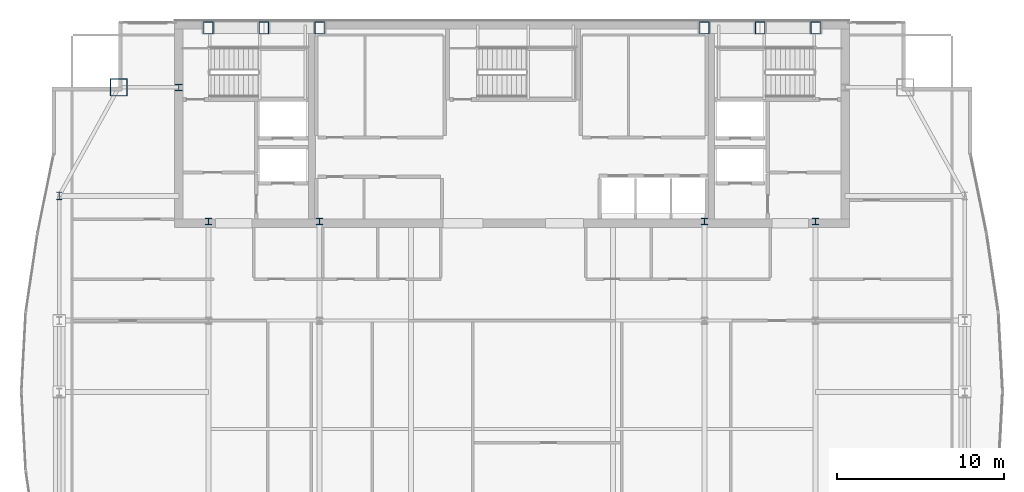
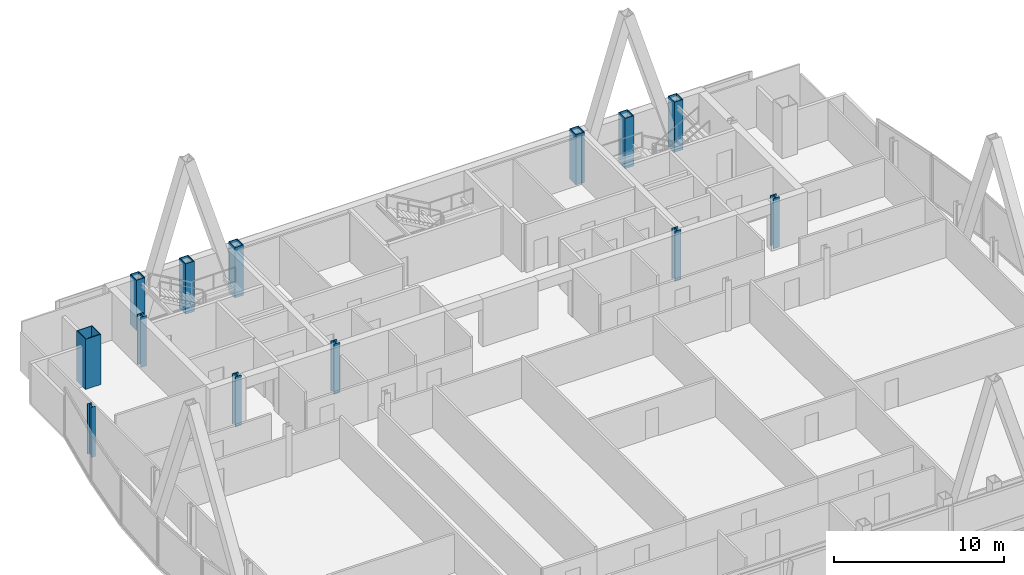
# One storey, part 3 of 31: 13 columns.
"""IFC4 building model written with IfcOpenShell, lengths in metres."""

from ifc_helpers import new_model, si_unit, direction, frame, origin, origin_2d, place, context, subcontext, project, spatial, hollow_rectangle, i_section, extrude, material, material_profile, profile_set, type_object, element, save


model = new_model("IFC4")

# Units and contexts
model_context = context("Model", 3, precision=1e-05, world=origin(), true_north=direction((0.0, 1.0)))
body_context = subcontext(model_context, "Body", "Model", "MODEL_VIEW")
ifc_project = project(units=[si_unit("LENGTHUNIT", "METRE"), si_unit("AREAUNIT", "SQUARE_METRE"), si_unit("VOLUMEUNIT", "CUBIC_METRE"), si_unit("PLANEANGLEUNIT", "RADIAN"), si_unit("MASSUNIT", "GRAM", prefix="KILO")], contexts=[model_context])

# Site, building, storey
site_placement = place(None, origin())
site = spatial("IfcSite", under=ifc_project, at=site_placement, CompositionType="ELEMENT")
building_placement = place(site_placement, origin())
building = spatial("IfcBuilding", under=site, at=building_placement, Name="Khoronbel Lancet Exchange", CompositionType="ELEMENT")
storey_placement = place(building_placement, frame((0.0, 0.0, 273.39990234375)))
storey = spatial("IfcBuildingStorey", under=building, at=storey_placement, Name="L70", CompositionType="ELEMENT", Elevation=273.39990234375)

# Columns
ifc_material_1 = material(Name="Steel S460", Category="steel")
ifc_material_profile_1 = material_profile(ifc_material_1, hollow_rectangle(XDim=0.60009765625, YDim=0.75, WallThickness=0.044921875, at=origin_2d()), Name="BOX 750x600x45")
ifc_profile_set_1 = profile_set([ifc_material_profile_1], Name="Steel S460")
column_type_1 = type_object("IfcColumnType", Name="COL-EC3", PredefinedType="COLUMN", material=ifc_profile_set_1)
for number, where, z_axis, x_axis, name in (
    (1, (18.22509765625, 53.280029296875, 0.0), (0.0, 0.0, 1.0), (1.0, 0.0, 0.0), "Structural column NC-W1 L70"),
    (2, (21.5625, 53.280029296875, 0.0), (0.0, 0.0, 1.0), (1.0, 0.0, 0.0), "Structural column NC-WM L70"),
    (3, (24.89990234375, 53.280029296875, 0.0), (0.0, 0.0, 1.0), (1.0, 0.0, 0.0), "Structural column NC-W2 L70"),
    (4, (48.0, 53.280029296875, 0.0), (0.0, 0.0, 1.0), (1.0, 0.0, 0.0), "Structural column NC-E1 L70"),
    (5, (51.33740234375, 53.280029296875, 0.0), (0.0, 0.0, 1.0), (1.0, 0.0, 0.0), "Structural column NC-EM L70"),
    (6, (54.675048828125, 53.280029296875, 0.0), (0.0, 0.0, 1.0), (1.0, 0.0, 0.0), "Structural column NC-E2 L70"),
):
    element("IfcColumn", number, at=place(storey_placement, frame(where, z_axis=z_axis, x_axis=x_axis)), inside=storey, type_object=column_type_1, Name=name, PredefinedType="COLUMN", context=body_context, shape_type="SweptSolid", body=[
        extrude(hollow_rectangle(XDim=0.60009765625, YDim=0.75, WallThickness=0.044921875, at=origin_2d()), origin(), (0.0, 0.0, 1.0), 3.60009765625),
    ])
ifc_material_2 = material(Name="Steel S355", Category="steel")
ifc_material_profile_2 = material_profile(ifc_material_2, i_section(OverallWidth=0.39892578125, OverallDepth=0.39306640625, WebThickness=0.022705078125, FlangeThickness=0.03662109375, at=origin_2d()), Name="HD 400x287")
ifc_profile_set_2 = profile_set([ifc_material_profile_2], Name="Steel S355")
column_type_2 = type_object("IfcColumnType", Name="COL-IC4", PredefinedType="COLUMN", material=ifc_profile_set_2)
for number, where, z_axis, x_axis, name in (
    (7, (16.449951171875, 49.699951171875, 0.0), (0.0, 0.0, 1.0), (1.0, 0.0, 0.0), "Core-flank plumb transfer column CFW L70"),
    (8, (18.22509765625, 41.64990234375, 0.0), (0.0, 0.0, 1.0), (1.0, 0.0, 0.0), "Core-embedded steel column CTC1 L70"),
    (9, (24.89990234375, 41.64990234375, 0.0), (0.0, 0.0, 1.0), (1.0, 0.0, 0.0), "Core-embedded steel column CTC2 L70"),
    (10, (48.0, 41.64990234375, 0.0), (0.0, 0.0, 1.0), (1.0, 0.0, 0.0), "Core-embedded steel column CTC3 L70"),
    (11, (54.675048828125, 41.64990234375, 0.0), (0.0, 0.0, 1.0), (1.0, 0.0, 0.0), "Core-embedded steel column CTC4 L70"),
):
    element("IfcColumn", number, at=place(storey_placement, frame(where, z_axis=z_axis, x_axis=x_axis)), inside=storey, type_object=column_type_2, Name=name, PredefinedType="COLUMN", context=body_context, shape_type="SweptSolid", body=[
        extrude(i_section(OverallWidth=0.39892578125, OverallDepth=0.39306640625, WebThickness=0.022705078125, FlangeThickness=0.03662109375, at=origin_2d()), origin(), (0.0, 0.0, 1.0), 3.60009765625),
    ])
ifc_material_profile_3 = material_profile(ifc_material_2, i_section(OverallWidth=0.300048828125, OverallDepth=0.449951171875, WebThickness=0.013916015625, FlangeThickness=0.02587890625, at=origin_2d()), Name="HEB 450")
ifc_profile_set_3 = profile_set([ifc_material_profile_3], Name="Steel S355")
column_type_3 = type_object("IfcColumnType", Name="COL-LC2", PredefinedType="COLUMN", material=ifc_profile_set_3)
column_1_placement = place(storey_placement, frame((9.27001953125, 43.199951171875, 0.0), z_axis=(0.0, 0.0, 1.0), x_axis=(1.0, 0.0, 0.0)))
element("IfcColumn", 12, at=column_1_placement, inside=storey, type_object=column_type_3, Name="Structural column WC-4 L70", PredefinedType="COLUMN", context=body_context, shape_type="SweptSolid", body=[
    extrude(i_section(OverallWidth=0.300048828125, OverallDepth=0.449951171875, WebThickness=0.013916015625, FlangeThickness=0.02587890625, at=origin_2d()), origin(), (0.0, 0.0, 1.0), 3.60009765625),
])
ifc_material_profile_4 = material_profile(ifc_material_1, hollow_rectangle(XDim=1.050048828125, YDim=1.050048828125, WallThickness=0.054931640625, at=origin_2d()), Name="BOX 1050x1050x55")
ifc_profile_set_4 = profile_set([ifc_material_profile_4], Name="Steel S460")
column_type_4 = type_object("IfcColumnType", Name="COL-MC6", PredefinedType="COLUMN", material=ifc_profile_set_4)
column_2_placement = place(storey_placement, frame((12.85009765625, 49.699951171875, 0.0), z_axis=(0.0, 0.0, 1.0), x_axis=(1.0, 0.0, 0.0)))
element("IfcColumn", 13, at=column_2_placement, inside=storey, type_object=column_type_4, Name="Structural column MC-NW L70", PredefinedType="COLUMN", context=body_context, shape_type="SweptSolid", body=[
    extrude(hollow_rectangle(XDim=1.050048828125, YDim=1.050048828125, WallThickness=0.054931640625, at=origin_2d()), origin(), (0.0, 0.0, 1.0), 3.60009765625),
])

save(model, "model.ifc")
